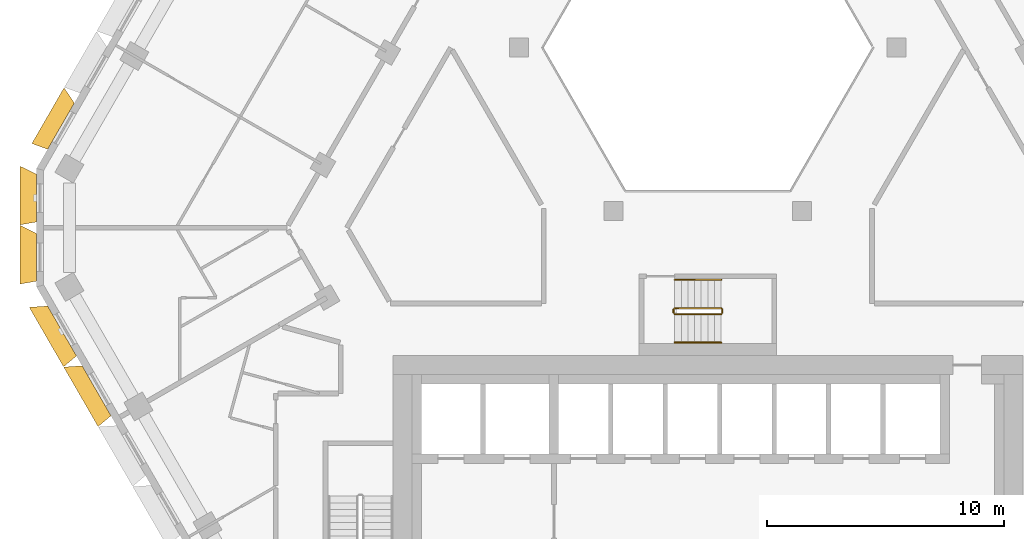
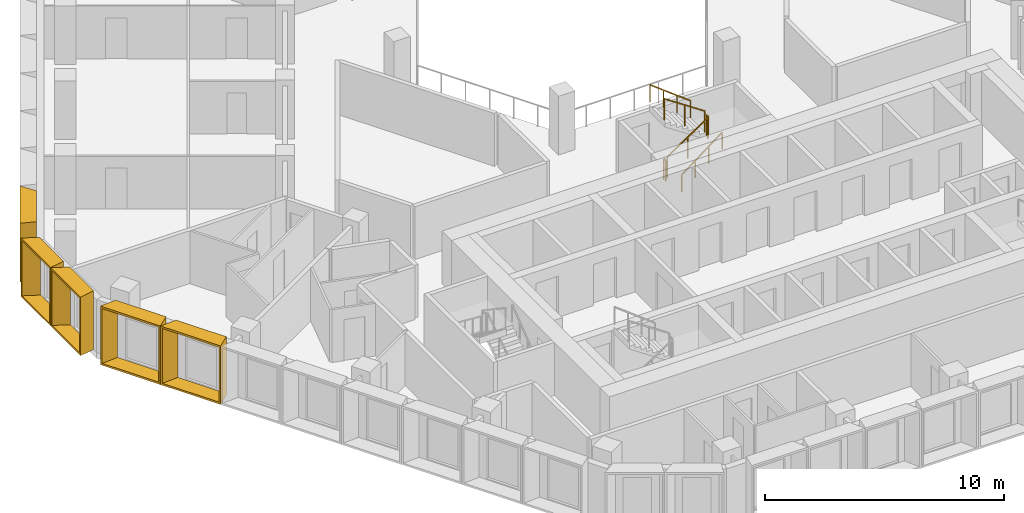
# One storey, part 16 of 18: 6 railings, 5 shading devices.
"""IFC4 building model written with IfcOpenShell, lengths in metres."""

from ifc_helpers import new_model, entity, si_unit, direction, frame, origin, origin_2d, place, context, subcontext, project, spatial, rectangle, extrude, source, transform, mapped, material, type_object, type_shapes, element, save


model = new_model("IFC4")

# Units and contexts
model_context = context("Model", 3, precision=1e-05, world=origin(), true_north=direction((0.0, 1.0)))
body_context = subcontext(model_context, "Body", "Model", "MODEL_VIEW")
ifc_project = project(units=[si_unit("LENGTHUNIT", "METRE"), si_unit("AREAUNIT", "SQUARE_METRE"), si_unit("VOLUMEUNIT", "CUBIC_METRE"), si_unit("PLANEANGLEUNIT", "RADIAN"), si_unit("MASSUNIT", "GRAM", prefix="KILO")], contexts=[model_context])

# Site, building, storey
site_placement = place(None, origin())
site = spatial("IfcSite", under=ifc_project, at=site_placement, CompositionType="ELEMENT")
building_placement = place(site_placement, origin())
building = spatial("IfcBuilding", under=site, at=building_placement, Name="Beryl Residences", CompositionType="ELEMENT")
storey_placement = place(building_placement, frame((0.0, 0.0, 138.60009765625)))
storey = spatial("IfcBuildingStorey", under=building, at=storey_placement, Name="L42", CompositionType="ELEMENT", Elevation=138.60009765625)

# Shading devices
ifc_material_1 = material(Name="Aluminium pale anodised", Category="aluminium")
shading_device_type_1 = type_object("IfcShadingDeviceType", Name="FR250-70B OUTER SKIN frame 700 mm deep, splay 26/10 deg, 2500 x 3000 mm cell", PredefinedType="USERDEFINED", material=ifc_material_1)
cartesian_point_1 = entity("IfcCartesianPoint", [-1.007568359375, 0.0])
cartesian_point_2 = entity("IfcCartesianPoint", [-0.91845703125, 0.10009765625])
cartesian_point_3 = entity("IfcCartesianPoint", [-1.348876953125, 0.0])
cartesian_point_4 = entity("IfcCartesianPoint", [-1.260009765625, 0.10009765625])
shared_shape_1 = source(origin(), body_context, "Body", "SweptSolid", [
    entity("IfcExtrudedAreaSolidTapered", entity("IfcArbitraryProfileDefWithVoids", "AREA", None, entity("IfcPolyline", [cartesian_point_1, entity("IfcCartesianPoint", [1.007568359375, 0.0]), entity("IfcCartesianPoint", [1.007568359375, 3.0]), entity("IfcCartesianPoint", [-1.007568359375, 3.0]), cartesian_point_1]), [entity("IfcPolyline", [cartesian_point_2, entity("IfcCartesianPoint", [0.92626953125, 0.10009765625]), entity("IfcCartesianPoint", [0.92626953125, 2.89990234375]), entity("IfcCartesianPoint", [-0.91845703125, 2.89990234375]), cartesian_point_2])]), entity("IfcAxis2Placement3D", entity("IfcCartesianPoint", [0.0, 0.0, 0.0]), entity("IfcDirection", [0.0, 1.0, 0.0]), entity("IfcDirection", [-1.0, 0.0, 0.0])), entity("IfcDirection", [0.0, 0.0, 1.0]), 0.699951171875, entity("IfcArbitraryProfileDefWithVoids", "AREA", None, entity("IfcPolyline", [cartesian_point_3, entity("IfcCartesianPoint", [1.130859375, 0.0]), entity("IfcCartesianPoint", [1.130859375, 3.0]), entity("IfcCartesianPoint", [-1.348876953125, 3.0]), cartesian_point_3]), [entity("IfcPolyline", [cartesian_point_4, entity("IfcCartesianPoint", [1.0498046875, 0.10009765625]), entity("IfcCartesianPoint", [1.0498046875, 2.89990234375]), entity("IfcCartesianPoint", [-1.260009765625, 2.89990234375]), cartesian_point_4])])),
])
type_shapes(shading_device_type_1, [shared_shape_1])
for number, where, z_axis, x_axis, name in (
    (1, (-28.347900390625, 1.64990234375, 0.0), (0.0, 0.0, 1.0), (0.0, 1.0, 0.0), "FR250-70B frame L42 NW-SW 1"),
    (2, (-28.347900390625, -0.85009765625, 0.0), (0.0, 0.0, 1.0), (0.0, 1.0, 0.0), "FR250-70B frame L42 NW-SW 2"),
):
    element("IfcShadingDevice", number, at=place(storey_placement, frame(where, z_axis=z_axis, x_axis=x_axis)), inside=storey, type_object=shading_device_type_1, Name=name, ObjectType="OUTER SKIN", PredefinedType="USERDEFINED", context=body_context, shape_type="MappedRepresentation", body=[
        mapped(shared_shape_1, transform((0.0, 0.0, 0.0))),
    ])
ifc_material_2 = material(Name="Aluminium pale anodised", Category="aluminium")
shading_device_type_2 = type_object("IfcShadingDeviceType", Name="FR274-70B OUTER SKIN frame 700 mm deep, splay 26/10 deg, 2740 x 3000 mm cell", PredefinedType="USERDEFINED", material=ifc_material_2)
cartesian_point_5 = entity("IfcCartesianPoint", [-1.12744140625, 0.0])
cartesian_point_6 = entity("IfcCartesianPoint", [-1.03857421875, 0.10009765625])
cartesian_point_7 = entity("IfcCartesianPoint", [-1.468994140625, 0.0])
cartesian_point_8 = entity("IfcCartesianPoint", [-1.3798828125, 0.10009765625])
shared_shape_2 = source(origin(), body_context, "Body", "SweptSolid", [
    entity("IfcExtrudedAreaSolidTapered", entity("IfcArbitraryProfileDefWithVoids", "AREA", None, entity("IfcPolyline", [cartesian_point_5, entity("IfcCartesianPoint", [1.12744140625, 0.0]), entity("IfcCartesianPoint", [1.12744140625, 3.0]), entity("IfcCartesianPoint", [-1.12744140625, 3.0]), cartesian_point_5]), [entity("IfcPolyline", [cartesian_point_6, entity("IfcCartesianPoint", [1.04638671875, 0.10009765625]), entity("IfcCartesianPoint", [1.04638671875, 2.89990234375]), entity("IfcCartesianPoint", [-1.03857421875, 2.89990234375]), cartesian_point_6])]), entity("IfcAxis2Placement3D", entity("IfcCartesianPoint", [0.0, 0.0, 0.0]), entity("IfcDirection", [0.0, 1.0, 0.0]), entity("IfcDirection", [-1.0, 0.0, 0.0])), entity("IfcDirection", [0.0, 0.0, 1.0]), 0.699951171875, entity("IfcArbitraryProfileDefWithVoids", "AREA", None, entity("IfcPolyline", [cartesian_point_7, entity("IfcCartesianPoint", [1.2509765625, 0.0]), entity("IfcCartesianPoint", [1.2509765625, 3.0]), entity("IfcCartesianPoint", [-1.468994140625, 3.0]), cartesian_point_7]), [entity("IfcPolyline", [cartesian_point_8, entity("IfcCartesianPoint", [1.169677734375, 0.10009765625]), entity("IfcCartesianPoint", [1.169677734375, 2.89990234375]), entity("IfcCartesianPoint", [-1.3798828125, 2.89990234375]), cartesian_point_8])])),
])
type_shapes(shading_device_type_2, [shared_shape_2])
shading_device_placement = place(storey_placement, frame((-27.31591796875, 4.68701171875, 0.0), z_axis=(0.0, 0.0, 1.0), x_axis=(0.5, 0.866025403784, 0.0)))
element("IfcShadingDevice", 3, at=shading_device_placement, inside=storey, type_object=shading_device_type_2, Name="FR274-70B frame L42 NW 8", ObjectType="OUTER SKIN", PredefinedType="USERDEFINED", context=body_context, shape_type="MappedRepresentation", body=[
    mapped(shared_shape_2, transform((0.0, 0.0, 0.0))),
])
ifc_material_3 = material(Name="Aluminium pale anodised", Category="aluminium")
shading_device_type_3 = type_object("IfcShadingDeviceType", Name="FR292-70B OUTER SKIN frame 700 mm deep, splay 26/10 deg, 2920 x 3000 mm cell", PredefinedType="USERDEFINED", material=ifc_material_3)
cartesian_point_9 = entity("IfcCartesianPoint", [-1.217529296875, 0.0])
cartesian_point_10 = entity("IfcCartesianPoint", [-1.12841796875, 0.10009765625])
cartesian_point_11 = entity("IfcCartesianPoint", [-1.558837890625, 0.0])
cartesian_point_12 = entity("IfcCartesianPoint", [-1.469970703125, 0.10009765625])
shared_shape_3 = source(origin(), body_context, "Body", "SweptSolid", [
    entity("IfcExtrudedAreaSolidTapered", entity("IfcArbitraryProfileDefWithVoids", "AREA", None, entity("IfcPolyline", [cartesian_point_9, entity("IfcCartesianPoint", [1.217529296875, 0.0]), entity("IfcCartesianPoint", [1.217529296875, 3.0]), entity("IfcCartesianPoint", [-1.217529296875, 3.0]), cartesian_point_9]), [entity("IfcPolyline", [cartesian_point_10, entity("IfcCartesianPoint", [1.13623046875, 0.10009765625]), entity("IfcCartesianPoint", [1.13623046875, 2.89990234375]), entity("IfcCartesianPoint", [-1.12841796875, 2.89990234375]), cartesian_point_10])]), entity("IfcAxis2Placement3D", entity("IfcCartesianPoint", [0.0, 0.0, 0.0]), entity("IfcDirection", [0.0, 1.0, 0.0]), entity("IfcDirection", [-1.0, 0.0, 0.0])), entity("IfcDirection", [0.0, 0.0, 1.0]), 0.699951171875, entity("IfcArbitraryProfileDefWithVoids", "AREA", None, entity("IfcPolyline", [cartesian_point_11, entity("IfcCartesianPoint", [1.3408203125, 0.0]), entity("IfcCartesianPoint", [1.3408203125, 3.0]), entity("IfcCartesianPoint", [-1.558837890625, 3.0]), cartesian_point_11]), [entity("IfcPolyline", [cartesian_point_12, entity("IfcCartesianPoint", [1.259765625, 0.10009765625]), entity("IfcCartesianPoint", [1.259765625, 2.89990234375]), entity("IfcCartesianPoint", [-1.469970703125, 2.89990234375]), cartesian_point_12])])),
])
type_shapes(shading_device_type_3, [shared_shape_3])
for number, where, z_axis, x_axis, name in (
    (4, (-27.27294921875, -3.9619140625, 0.0), (0.0, 0.0, 1.0), (-0.5, 0.866025403784, 0.0), "FR292-70B frame L42 SW 1"),
    (5, (-25.81494140625, -6.487060546875, 0.0), (0.0, 0.0, 1.0), (-0.5, 0.866025403784, 0.0), "FR292-70B frame L42 SW 2"),
):
    element("IfcShadingDevice", number, at=place(storey_placement, frame(where, z_axis=z_axis, x_axis=x_axis)), inside=storey, type_object=shading_device_type_3, Name=name, ObjectType="OUTER SKIN", PredefinedType="USERDEFINED", context=body_context, shape_type="MappedRepresentation", body=[
        mapped(shared_shape_3, transform((0.0, 0.0, 0.0))),
    ])

# Railings
ifc_material_4 = material(Name="Stainless steel balustrade with glass infill", Category="steel")
railing_type_1 = type_object("IfcRailingType", Name="SG1 stair guard 1100 mm", PredefinedType="GUARDRAIL", material=ifc_material_4)
railing_1_placement = place(storey_placement, frame((-1.39990234375, -3.25, 0.1875)))
element("IfcRailing", 6, at=railing_1_placement, inside=storey, type_object=railing_type_1, Name="L42 ST-4 stair guard 1", PredefinedType="GUARDRAIL", context=body_context, shape_type="SweptSolid", body=[
    extrude(rectangle(XDim=0.048095703125, YDim=0.048095703125, at=origin_2d()), frame((0.0, 0.0, 1.076171875), z_axis=(0.830902050051, 0.0, 0.556418712142), x_axis=(0.0, 1.0, 0.0)), (0.0, 0.0, 1.0), 2.35888671875),
    extrude(rectangle(XDim=0.0419921875, YDim=0.0419921875, at=origin_2d()), origin(), (0.0, 0.0, 1.0), 1.052001953125),
    extrude(rectangle(XDim=0.0419921875, YDim=0.0419921875, at=origin_2d()), frame((0.97998046875, 0.0, 0.65625)), (0.0, 0.0, 1.0), 1.052001953125),
    extrude(rectangle(XDim=0.0419921875, YDim=0.0419921875, at=origin_2d()), frame((1.9599609375, 0.0, 1.3125)), (0.0, 0.0, 1.0), 1.052001953125),
])
railing_2_placement = place(storey_placement, frame((0.610107421875, -3.199951171875, 1.5)))
element("IfcRailing", 7, at=railing_2_placement, inside=storey, type_object=railing_type_1, Name="L42 ST-4 stair guard 2", PredefinedType="GUARDRAIL", context=body_context, shape_type="SweptSolid", body=[
    extrude(rectangle(XDim=0.048095703125, YDim=0.048095703125, at=origin_2d()), frame((0.0, 0.0, 1.076171875), z_axis=(0.0, 1.0, 0.0), x_axis=(-1.0, 0.0, 0.0)), (0.0, 0.0, 1.0), 0.14990234375),
    extrude(rectangle(XDim=0.0419921875, YDim=0.0419921875, at=origin_2d()), origin(), (0.0, 0.0, 1.0), 1.052001953125),
    extrude(rectangle(XDim=0.0419921875, YDim=0.0419921875, at=origin_2d()), frame((0.0, 0.14990234375, 0.0)), (0.0, 0.0, 1.0), 1.052001953125),
])
railing_3_placement = place(storey_placement, frame((0.56005859375, -3.0, 1.6875)))
element("IfcRailing", 8, at=railing_3_placement, inside=storey, type_object=railing_type_1, Name="L42 ST-4 stair guard 3", PredefinedType="GUARDRAIL", context=body_context, shape_type="SweptSolid", body=[
    extrude(rectangle(XDim=0.048095703125, YDim=0.048095703125, at=origin_2d()), frame((0.0, 0.0, 1.076171875), z_axis=(-0.830902050051, 0.0, 0.556418712142), x_axis=(0.0, -1.0, 0.0)), (0.0, 0.0, 1.0), 2.35888671875),
    extrude(rectangle(XDim=0.0419921875, YDim=0.0419921875, at=origin_2d()), origin(), (0.0, 0.0, 1.0), 1.052001953125),
    extrude(rectangle(XDim=0.0419921875, YDim=0.0419921875, at=origin_2d()), frame((-0.97998046875, 0.0, 0.65625)), (0.0, 0.0, 1.0), 1.052001953125),
    extrude(rectangle(XDim=0.0419921875, YDim=0.0419921875, at=origin_2d()), frame((-1.9599609375, 0.0, 1.3125)), (0.0, 0.0, 1.0), 1.052001953125),
])
railing_4_placement = place(storey_placement, frame((-1.449951171875, -3.199951171875, 0.0)))
element("IfcRailing", 9, at=railing_4_placement, inside=storey, type_object=railing_type_1, Name="L42 ST-4 stair guard 4", PredefinedType="GUARDRAIL", context=body_context, shape_type="SweptSolid", body=[
    extrude(rectangle(XDim=0.048095703125, YDim=0.048095703125, at=origin_2d()), frame((0.0, 0.0, 1.076171875), z_axis=(0.0, 1.0, 0.0), x_axis=(-1.0, 0.0, 0.0)), (0.0, 0.0, 1.0), 0.14990234375),
    extrude(rectangle(XDim=0.0419921875, YDim=0.0419921875, at=origin_2d()), origin(), (0.0, 0.0, 1.0), 1.052001953125),
    extrude(rectangle(XDim=0.0419921875, YDim=0.0419921875, at=origin_2d()), frame((0.0, 0.14990234375, 0.0)), (0.0, 0.0, 1.0), 1.052001953125),
])
ifc_material_5 = material(Name="Stainless steel handrail", Category="steel")
railing_type_2 = type_object("IfcRailingType", Name="SRL1 stair handrail 900 mm", PredefinedType="HANDRAIL", material=ifc_material_5)
railing_5_placement = place(storey_placement, frame((-1.39990234375, -4.449951171875, 0.1875)))
element("IfcRailing", 10, at=railing_5_placement, inside=storey, type_object=railing_type_2, Name="L42 ST-4 stair handrail 1", PredefinedType="HANDRAIL", context=body_context, shape_type="SweptSolid", body=[
    extrude(rectangle(XDim=0.048095703125, YDim=0.048095703125, at=origin_2d()), frame((0.0, 0.0, 0.8759765625), z_axis=(0.794121922505, 0.0, 0.607758481798), x_axis=(0.0, 1.0, 0.0)), (0.0, 0.0, 1.0), 2.468017578125),
    extrude(rectangle(XDim=0.0419921875, YDim=0.0419921875, at=origin_2d()), origin(), (0.0, 0.0, 1.0), 0.851806640625),
    extrude(rectangle(XDim=0.0419921875, YDim=0.0419921875, at=origin_2d()), frame((0.6533203125, 0.0, 0.5)), (0.0, 0.0, 1.0), 0.851806640625),
    extrude(rectangle(XDim=0.0419921875, YDim=0.0419921875, at=origin_2d()), frame((1.306640625, 0.0, 1.0)), (0.0, 0.0, 1.0), 0.851806640625),
    extrude(rectangle(XDim=0.0419921875, YDim=0.0419921875, at=origin_2d()), frame((1.9599609375, 0.0, 1.5)), (0.0, 0.0, 1.0), 0.851806640625),
])
railing_6_placement = place(storey_placement, frame((0.56005859375, -1.800048828125, 1.6875)))
element("IfcRailing", 11, at=railing_6_placement, inside=storey, type_object=railing_type_2, Name="L42 ST-4 stair handrail 2", PredefinedType="HANDRAIL", context=body_context, shape_type="SweptSolid", body=[
    extrude(rectangle(XDim=0.048095703125, YDim=0.048095703125, at=origin_2d()), frame((0.0, 0.0, 0.8759765625), z_axis=(-0.794121922505, 0.0, 0.607758481798), x_axis=(0.0, -1.0, 0.0)), (0.0, 0.0, 1.0), 2.468017578125),
    extrude(rectangle(XDim=0.0419921875, YDim=0.0419921875, at=origin_2d()), origin(), (0.0, 0.0, 1.0), 0.851806640625),
    extrude(rectangle(XDim=0.0419921875, YDim=0.0419921875, at=origin_2d()), frame((-0.6533203125, 0.0, 0.5)), (0.0, 0.0, 1.0), 0.851806640625),
    extrude(rectangle(XDim=0.0419921875, YDim=0.0419921875, at=origin_2d()), frame((-1.306640625, 0.0, 1.0)), (0.0, 0.0, 1.0), 0.851806640625),
    extrude(rectangle(XDim=0.0419921875, YDim=0.0419921875, at=origin_2d()), frame((-1.9599609375, 0.0, 1.5)), (0.0, 0.0, 1.0), 0.851806640625),
])

save(model, "model.ifc")
